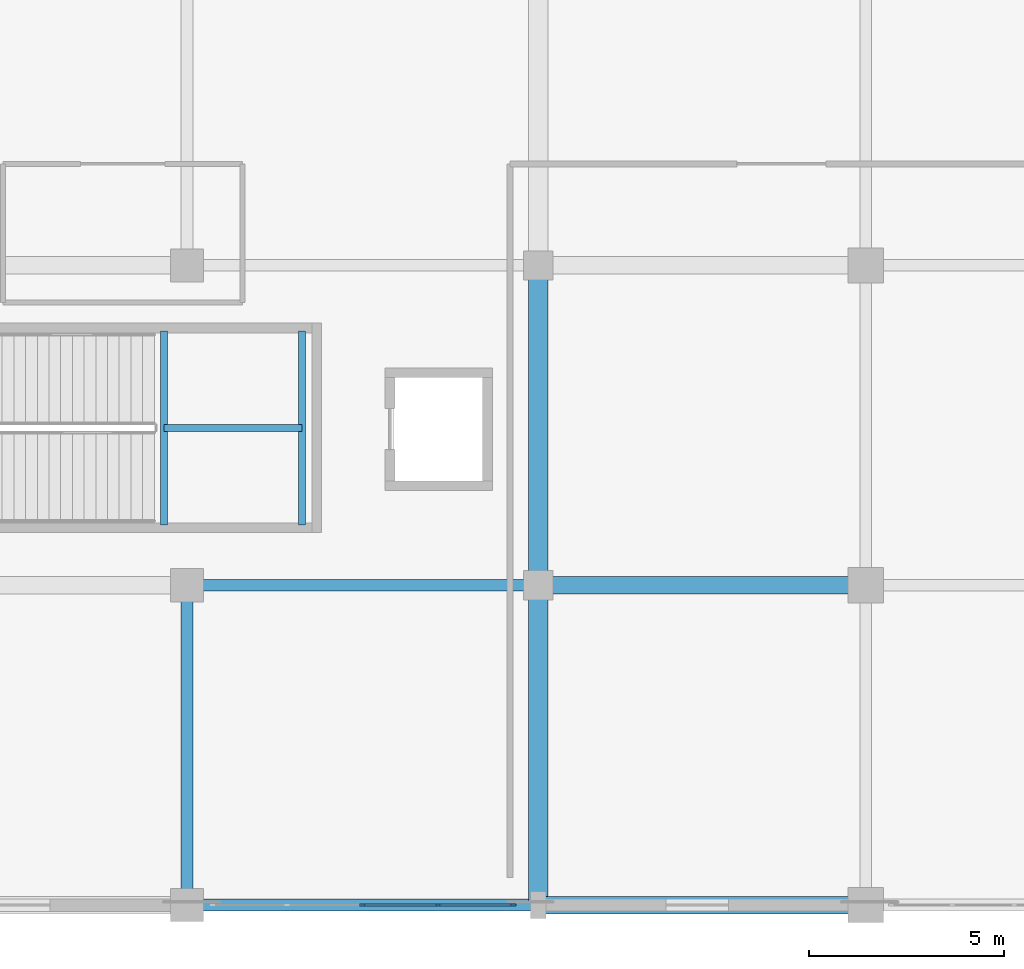
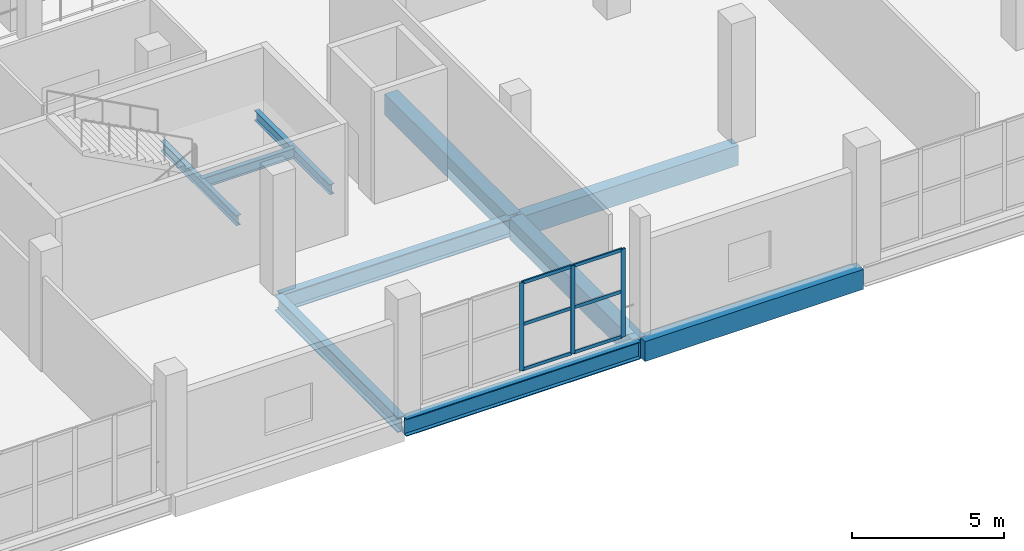
# One storey, part 34 of 129: 10 beams, 9 members, 1 element without a shape of its own.
"""IFC4 building model written with IfcOpenShell, lengths in metres."""

from ifc_helpers import new_model, si_unit, direction, frame, origin, origin_2d, place, context, subcontext, project, spatial, rectangle, i_section, extrude, material, material_profile, profile_set, type_object, element, aggregate, save


model = new_model("IFC4")

# Units and contexts
model_context = context("Model", 3, precision=1e-05, world=origin(), true_north=direction((0.0, 1.0)))
body_context = subcontext(model_context, "Body", "Model", "MODEL_VIEW")
ifc_project = project(units=[si_unit("LENGTHUNIT", "METRE"), si_unit("AREAUNIT", "SQUARE_METRE"), si_unit("VOLUMEUNIT", "CUBIC_METRE"), si_unit("PLANEANGLEUNIT", "RADIAN"), si_unit("MASSUNIT", "GRAM", prefix="KILO")], contexts=[model_context])

# Site, building, storey
site_placement = place(None, origin())
site = spatial("IfcSite", under=ifc_project, at=site_placement, CompositionType="ELEMENT")
building_placement = place(site_placement, origin())
building = spatial("IfcBuilding", under=site, at=building_placement, Name="Koshinbarg Plaza Stadium", CompositionType="ELEMENT")
storey_placement = place(building_placement, frame((0.0, 0.0, 5.39990234375)))
storey = spatial("IfcBuildingStorey", under=building, at=storey_placement, Name="L01", CompositionType="ELEMENT", Elevation=5.39990234375)

# Beams
ifc_material_1 = material(Name="Concrete C40/50", Category="concrete")
ifc_material_profile_1 = material_profile(ifc_material_1, rectangle(XDim=0.449951171875, YDim=0.800048828125, at=origin_2d()), Name="RC 450x800")
ifc_profile_set_1 = profile_set([ifc_material_profile_1], Name="Concrete C40/50")
beam_type_1 = type_object("IfcBeamType", Name="BM-RCG-04", PredefinedType="USERDEFINED", material=ifc_profile_set_1)
for number, where, z_axis, x_axis, name in (
    (1, (189.4599609375, 0.0, -0.719970703125), (1.0, 0.0, 0.0), (0.0, 1.0, 0.0), "L01 X girder A/18-19"),
    (2, (189.4599609375, 8.199951171875, -0.719970703125), (1.0, 0.0, 0.0), (0.0, 1.0, 0.0), "L01 X girder B/18-19"),
):
    element("IfcBeam", number, at=place(storey_placement, frame(where, z_axis=z_axis, x_axis=x_axis)), inside=storey, type_object=beam_type_1, Name=name, ObjectType="GIRDER", PredefinedType="USERDEFINED", context=body_context, shape_type="SweptSolid", body=[
        extrude(rectangle(XDim=0.449951171875, YDim=0.800048828125, at=origin_2d()), origin(), (0.0, 0.0, 1.0), 8.280029296875),
    ])
ifc_material_profile_2 = material_profile(ifc_material_1, rectangle(XDim=0.5, YDim=0.85009765625, at=origin_2d()), Name="RC 500x850")
ifc_profile_set_2 = profile_set([ifc_material_profile_2], Name="Concrete C40/50")
beam_type_2 = type_object("IfcBeamType", Name="BM-RCG-05", PredefinedType="USERDEFINED", material=ifc_profile_set_2)
beam_1_placement = place(storey_placement, frame((189.39990234375, 0.06005859375, -0.744873046875), z_axis=(0.0, 1.0, 0.0), x_axis=(-1.0, 0.0, 0.0)))
element("IfcBeam", 3, at=beam_1_placement, inside=storey, type_object=beam_type_2, Name="L01 Y girder 18/A-B", ObjectType="GIRDER", PredefinedType="USERDEFINED", context=body_context, shape_type="SweptSolid", body=[
    extrude(rectangle(XDim=0.5, YDim=0.85009765625, at=origin_2d()), origin(), (0.0, 0.0, 1.0), 8.079833984375),
])
beam_2_placement = place(storey_placement, frame((189.39990234375, 8.260009765625, -0.744873046875), z_axis=(0.0, 1.0, 0.0), x_axis=(-1.0, 0.0, 0.0)))
element("IfcBeam", 4, at=beam_2_placement, inside=storey, type_object=beam_type_2, Name="L01 Y girder 18/B-C", ObjectType="GIRDER", PredefinedType="USERDEFINED", context=body_context, shape_type="SweptSolid", body=[
    extrude(rectangle(XDim=0.5, YDim=0.85009765625, at=origin_2d()), origin(), (0.0, 0.0, 1.0), 8.080078125),
])
ifc_material_2 = material(Name="Steel S355", Category="steel")
ifc_material_profile_3 = material_profile(ifc_material_2, i_section(OverallWidth=0.179931640625, OverallDepth=0.39990234375, WebThickness=0.008544921875, FlangeThickness=0.013427734375, at=origin_2d()), Name="IPE 400")
ifc_profile_set_3 = profile_set([ifc_material_profile_3], Name="Steel S355")
beam_type_3 = type_object("IfcBeamType", Name="BM-SBM-01", PredefinedType="BEAM", material=ifc_profile_set_3)
for number, where, z_axis, x_axis, name in (
    (5, (179.81005859375, 9.75, 1.880126953125), (0.0, 1.0, 0.0), (-1.0, 0.0, 0.0), "L01 Protected Exit Stair C14 landing trimmer beam 1"),
    (6, (183.35009765625, 9.75, 1.880126953125), (0.0, 1.0, 0.0), (-1.0, 0.0, 0.0), "L01 Protected Exit Stair C14 landing trimmer beam 2"),
):
    element("IfcBeam", number, at=place(storey_placement, frame(where, z_axis=z_axis, x_axis=x_axis)), inside=storey, type_object=beam_type_3, Name=name, PredefinedType="BEAM", context=body_context, shape_type="SweptSolid", body=[
        extrude(i_section(OverallWidth=0.179931640625, OverallDepth=0.39990234375, WebThickness=0.008544921875, FlangeThickness=0.013427734375, at=origin_2d()), origin(), (0.0, 0.0, 1.0), 4.969970703125),
    ])
beam_3_placement = place(storey_placement, frame((179.81005859375, 12.235107421875, 1.880126953125), z_axis=(1.0, 0.0, 0.0), x_axis=(0.0, 1.0, 0.0)))
element("IfcBeam", 7, at=beam_3_placement, inside=storey, type_object=beam_type_3, Name="L01 Protected Exit Stair C14 landing trimmer beam 3", PredefinedType="BEAM", context=body_context, shape_type="SweptSolid", body=[
    extrude(i_section(OverallWidth=0.179931640625, OverallDepth=0.39990234375, WebThickness=0.008544921875, FlangeThickness=0.013427734375, at=origin_2d()), origin(), (0.0, 0.0, 1.0), 3.5400390625),
])
ifc_material_profile_4 = material_profile(ifc_material_2, i_section(OverallWidth=0.300048828125, OverallDepth=0.60009765625, WebThickness=0.015380859375, FlangeThickness=0.030029296875, at=origin_2d()), Name="HEB 600")
ifc_profile_set_4 = profile_set([ifc_material_profile_4], Name="Steel S355")
beam_type_4 = type_object("IfcBeamType", Name="BM-SGIR-02", PredefinedType="USERDEFINED", material=ifc_profile_set_4)
beam_4_placement = place(storey_placement, frame((180.39990234375, 0.06005859375, -0.619873046875), z_axis=(0.0, 1.0, 0.0), x_axis=(-1.0, 0.0, 0.0)))
element("IfcBeam", 8, at=beam_4_placement, inside=storey, type_object=beam_type_4, Name="L01 Y girder 17/A-B", ObjectType="GIRDER", PredefinedType="USERDEFINED", context=body_context, shape_type="SweptSolid", body=[
    extrude(i_section(OverallWidth=0.300048828125, OverallDepth=0.60009765625, WebThickness=0.015380859375, FlangeThickness=0.030029296875, at=origin_2d()), origin(), (0.0, 0.0, 1.0), 8.079833984375),
])
ifc_material_profile_5 = material_profile(ifc_material_2, i_section(OverallWidth=0.300048828125, OverallDepth=0.699951171875, WebThickness=0.01708984375, FlangeThickness=0.031982421875, at=origin_2d()), Name="HEB 700")
ifc_profile_set_5 = profile_set([ifc_material_profile_5], Name="Steel S355")
beam_type_5 = type_object("IfcBeamType", Name="BM-SGIR-03", PredefinedType="USERDEFINED", material=ifc_profile_set_5)
for number, where, z_axis, x_axis, name in (
    (9, (180.4599609375, 0.0, -0.669921875), (1.0, 0.0, 0.0), (0.0, 1.0, 0.0), "L01 X girder A/17-18"),
    (10, (180.4599609375, 8.199951171875, -0.669921875), (1.0, 0.0, 0.0), (0.0, 1.0, 0.0), "L01 X girder B/17-18"),
):
    element("IfcBeam", number, at=place(storey_placement, frame(where, z_axis=z_axis, x_axis=x_axis)), inside=storey, type_object=beam_type_5, Name=name, ObjectType="GIRDER", PredefinedType="USERDEFINED", context=body_context, shape_type="SweptSolid", body=[
        extrude(i_section(OverallWidth=0.300048828125, OverallDepth=0.699951171875, WebThickness=0.01708984375, FlangeThickness=0.031982421875, at=origin_2d()), origin(), (0.0, 0.0, 1.0), 8.880126953125),
    ])

# Curtain wall, members
ifc_material_3 = material(Name="Thermally broken anodised aluminium and low-E double glazing", Category="aluminium")
curtain_wall_type = type_object("IfcCurtainWallType", Name="CW-SYS-14", PredefinedType="NOTDEFINED", material=ifc_material_3)
curtain_wall_placement = place(storey_placement, origin())
curtain_wall = element("IfcCurtainWall", 11, at=curtain_wall_placement, inside=storey, type_object=curtain_wall_type, Name="L01 unitised curtain wall CW-L01-029", PredefinedType="NOTDEFINED")
ifc_material_4 = material(Name="Anodised aluminium mullion", Category="aluminium")
ifc_material_profile_6 = material_profile(ifc_material_4, rectangle(XDim=0.06005859375, YDim=0.159912109375, at=origin_2d()), Name="ALU 60x160")
ifc_profile_set_6 = profile_set([ifc_material_profile_6], Name="Anodised aluminium mullion")
member_type_1 = type_object("IfcMemberType", Name="CW-MUL-02", PredefinedType="MULLION", material=ifc_profile_set_6)
member_1_placement = place(storey_placement, frame((188.75, 0.0, 0.0), z_axis=(0.0, 0.0, 1.0), x_axis=(0.0, -1.0, 0.0)))
member_1 = element("IfcMember", 12, at=member_1_placement, type_object=member_type_1, Name="CW14 mullion 1", PredefinedType="MULLION", context=body_context, shape_type="SweptSolid", body=[
    extrude(rectangle(XDim=0.06005859375, YDim=0.159912109375, at=origin_2d()), origin(), (0.0, 0.0, 1.0), 3.530029296875),
])
member_2_placement = place(storey_placement, frame((186.840087890625, 0.0, 0.0), z_axis=(0.0, 0.0, 1.0), x_axis=(0.0, -1.0, 0.0)))
member_2 = element("IfcMember", 13, at=member_2_placement, type_object=member_type_1, Name="CW14 mullion 2", PredefinedType="MULLION", context=body_context, shape_type="SweptSolid", body=[
    extrude(rectangle(XDim=0.06005859375, YDim=0.159912109375, at=origin_2d()), origin(), (0.0, 0.0, 1.0), 3.530029296875),
])
member_3_placement = place(storey_placement, frame((184.89990234375, 0.0, 0.0), z_axis=(0.0, 0.0, 1.0), x_axis=(0.0, -1.0, 0.0)))
member_3 = element("IfcMember", 14, at=member_3_placement, type_object=member_type_1, Name="CW14 mullion 3", PredefinedType="MULLION", context=body_context, shape_type="SweptSolid", body=[
    extrude(rectangle(XDim=0.06005859375, YDim=0.159912109375, at=origin_2d()), origin(), (0.0, 0.0, 1.0), 3.530029296875),
])
ifc_material_5 = material(Name="Anodised aluminium transom", Category="aluminium")
ifc_material_profile_7 = material_profile(ifc_material_5, rectangle(XDim=0.06005859375, YDim=0.1298828125, at=origin_2d()), Name="ALU 60x130")
ifc_profile_set_7 = profile_set([ifc_material_profile_7], Name="Anodised aluminium transom")
member_type_2 = type_object("IfcMemberType", Name="CW-TRN-02", PredefinedType="USERDEFINED", material=ifc_profile_set_7)
member_4_placement = place(storey_placement, frame((188.719970703125, 0.0, 0.030029296875), z_axis=(-1.0, 0.0, 0.0), x_axis=(0.0, -1.0, 0.0)))
member_4 = element("IfcMember", 15, at=member_4_placement, type_object=member_type_2, Name="CW14 transom 1.1", ObjectType="TRANSOM", PredefinedType="USERDEFINED", context=body_context, shape_type="SweptSolid", body=[
    extrude(rectangle(XDim=0.06005859375, YDim=0.1298828125, at=origin_2d()), origin(), (0.0, 0.0, 1.0), 1.849853515625),
])
member_5_placement = place(storey_placement, frame((188.719970703125, 0.0, 1.835693359375), z_axis=(-1.0, 0.0, 0.0), x_axis=(0.0, -1.0, 0.0)))
member_5 = element("IfcMember", 16, at=member_5_placement, type_object=member_type_2, Name="CW14 transom 1.2", ObjectType="TRANSOM", PredefinedType="USERDEFINED", context=body_context, shape_type="SweptSolid", body=[
    extrude(rectangle(XDim=0.06005859375, YDim=0.1298828125, at=origin_2d()), origin(), (0.0, 0.0, 1.0), 1.849853515625),
])
member_6_placement = place(storey_placement, frame((188.719970703125, 0.0, 3.5), z_axis=(-1.0, 0.0, 0.0), x_axis=(0.0, -1.0, 0.0)))
member_6 = element("IfcMember", 17, at=member_6_placement, type_object=member_type_2, Name="CW14 transom 1.3", ObjectType="TRANSOM", PredefinedType="USERDEFINED", context=body_context, shape_type="SweptSolid", body=[
    extrude(rectangle(XDim=0.06005859375, YDim=0.1298828125, at=origin_2d()), origin(), (0.0, 0.0, 1.0), 1.849853515625),
])
member_7_placement = place(storey_placement, frame((186.81005859375, 0.0, 0.030029296875), z_axis=(-1.0, 0.0, 0.0), x_axis=(0.0, -1.0, 0.0)))
member_7 = element("IfcMember", 18, at=member_7_placement, type_object=member_type_2, Name="CW14 transom 2.1", ObjectType="TRANSOM", PredefinedType="USERDEFINED", context=body_context, shape_type="SweptSolid", body=[
    extrude(rectangle(XDim=0.06005859375, YDim=0.1298828125, at=origin_2d()), origin(), (0.0, 0.0, 1.0), 1.880126953125),
])
member_8_placement = place(storey_placement, frame((186.81005859375, 0.0, 1.835693359375), z_axis=(-1.0, 0.0, 0.0), x_axis=(0.0, -1.0, 0.0)))
member_8 = element("IfcMember", 19, at=member_8_placement, type_object=member_type_2, Name="CW14 transom 2.2", ObjectType="TRANSOM", PredefinedType="USERDEFINED", context=body_context, shape_type="SweptSolid", body=[
    extrude(rectangle(XDim=0.06005859375, YDim=0.1298828125, at=origin_2d()), origin(), (0.0, 0.0, 1.0), 1.880126953125),
])
member_9_placement = place(storey_placement, frame((186.81005859375, 0.0, 3.5), z_axis=(-1.0, 0.0, 0.0), x_axis=(0.0, -1.0, 0.0)))
member_9 = element("IfcMember", 20, at=member_9_placement, type_object=member_type_2, Name="CW14 transom 2.3", ObjectType="TRANSOM", PredefinedType="USERDEFINED", context=body_context, shape_type="SweptSolid", body=[
    extrude(rectangle(XDim=0.06005859375, YDim=0.1298828125, at=origin_2d()), origin(), (0.0, 0.0, 1.0), 1.880126953125),
])
aggregate(curtain_wall, [member_1, member_2, member_3, member_4, member_5, member_6, member_7, member_8, member_9])

save(model, "model.ifc")
